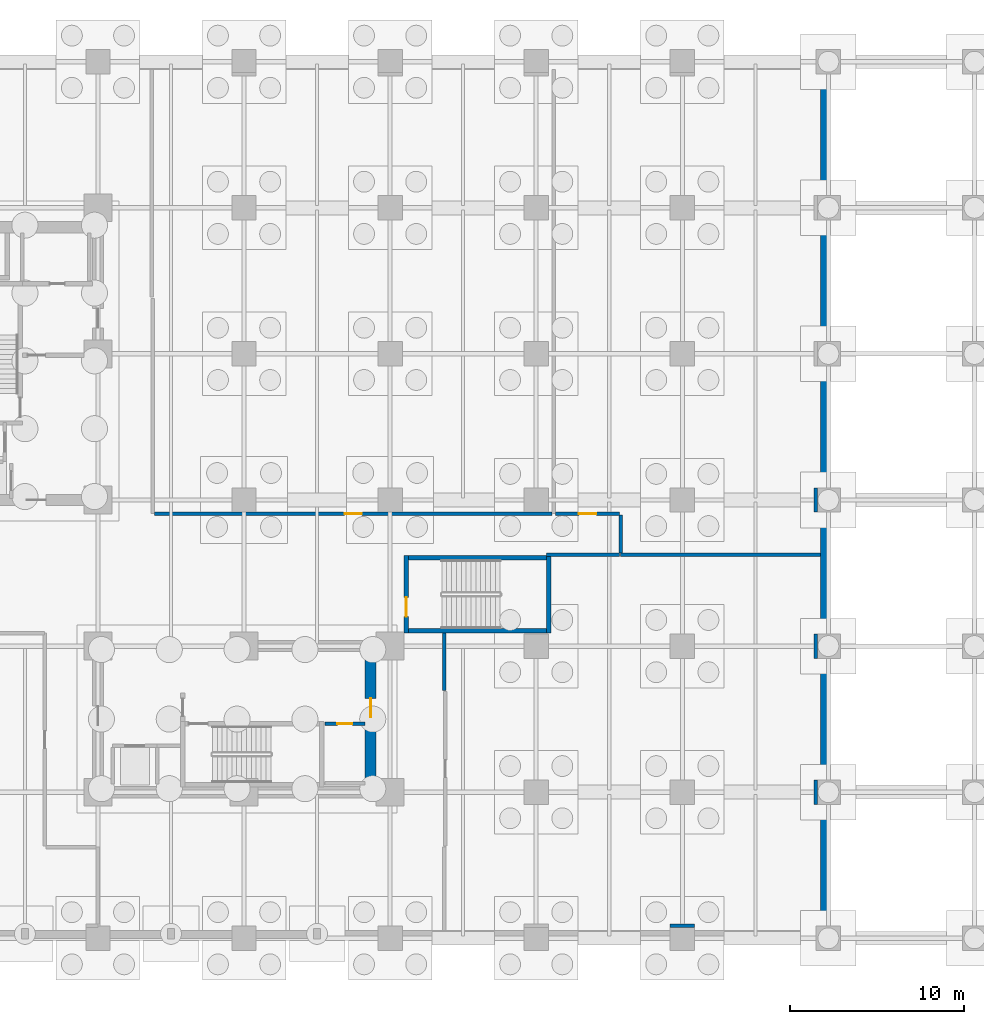
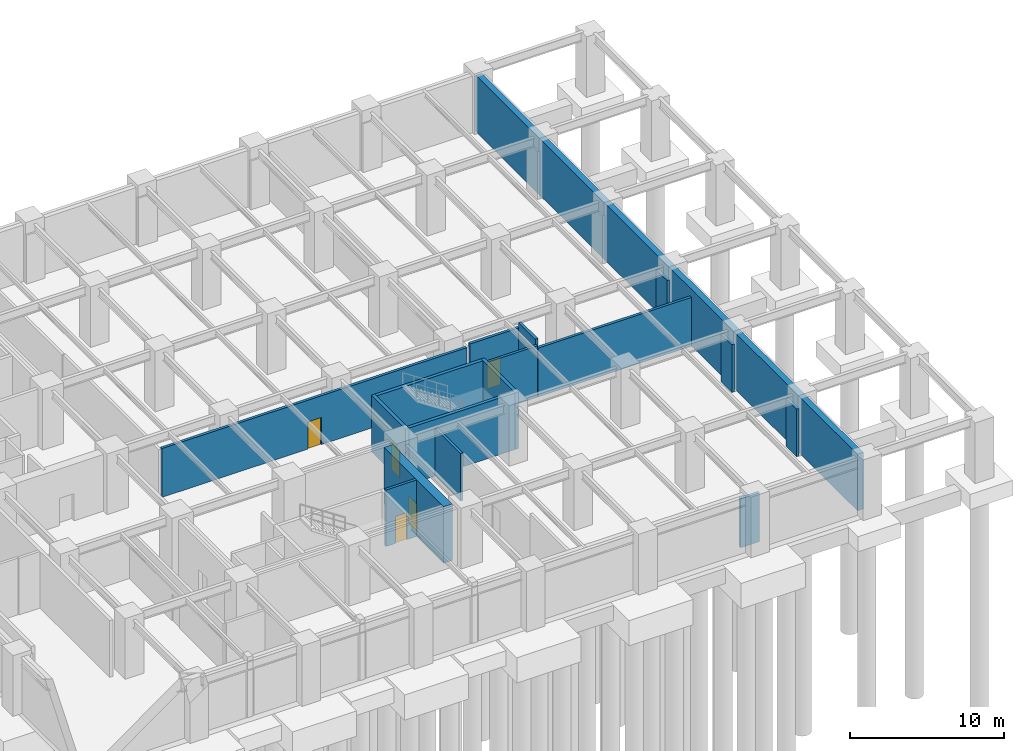
# One storey, part 6 of 9: 17 walls, 5 doors, 5 openings.
"""IFC4 building model written with IfcOpenShell, lengths in metres."""

import ifcopenshell
import ifcopenshell.guid

model = None  # the IFC model being written
_history = None  # IfcOwnerHistory: only IFC2X3 demands one
_inside = {}  # id of a spatial element -> (the spatial element, [elements in it])
_under = {}  # id of a project, library or spatial element -> (it, [spatial elements below it])
_declared = {}  # id of a project -> (the project, [libraries it declares])
_typed = {}  # id of a type object -> (the type object, [elements of that type])
_made_of = {}  # id of a material, layer set ... -> (it, [elements and type objects made of it])


def new_model(schema):
    """Start an empty IFC model of exactly this schema.

    Asked for "IFC4X3", IfcOpenShell would pick the latest addendum, in which some entities
    have other attributes; the version numbers below select the first issue.
    IFC2X3 requires an IfcOwnerHistory on every rooted entity: one is made here for all.
    """
    global model, _history
    if schema == "IFC4X3":
        model = ifcopenshell.file(schema_version=(4, 3, 0, 0))
    else:
        model = ifcopenshell.file(schema=schema)
    _inside.clear()
    _under.clear()
    _declared.clear()
    _typed.clear()
    _made_of.clear()
    _history = None
    if model.schema == "IFC2X3":
        org = make("IfcOrganization", Name="unknown")
        user = make(
            "IfcPersonAndOrganization",
            ThePerson=make("IfcPerson", FamilyName="unknown"),
            TheOrganization=org,
        )
        app = make(
            "IfcApplication",
            ApplicationDeveloper=org,
            Version="unknown",
            ApplicationFullName="unknown",
            ApplicationIdentifier="unknown",
        )
        _history = make(
            "IfcOwnerHistory",
            OwningUser=user,
            OwningApplication=app,
            ChangeAction="ADDED",
            CreationDate=0,
        )
    return model


def make(cls, **values):
    """One entity of the class cls with the attributes given. An attribute that is None is left unset."""
    return model.create_entity(
        cls, **{name: value for name, value in values.items() if value is not None}
    )


def rooted(cls, **values):
    """An entity with a GlobalId (a new one), such as an element, a storey or a relation."""
    return make(cls, GlobalId=ifcopenshell.guid.new(), OwnerHistory=_history, **values)


def si_unit(unit_type, name, prefix=None):
    """IfcSIUnit, for example si_unit("LENGTHUNIT", "METRE", prefix="MILLI")."""
    return make("IfcSIUnit", UnitType=unit_type, Prefix=prefix, Name=name)


def assignment(units):
    """IfcUnitAssignment: the units of a project."""
    return None if units is None else make("IfcUnitAssignment", Units=units)


def point(xyz):
    """IfcCartesianPoint."""
    return None if xyz is None else make("IfcCartesianPoint", Coordinates=xyz)


def direction(xyz):
    """IfcDirection."""
    return None if xyz is None else make("IfcDirection", DirectionRatios=xyz)


def frame(location, z_axis=None, x_axis=None):
    """IfcAxis2Placement3D, a coordinate frame: its origin and axes. An axis left out is left unset."""
    return make(
        "IfcAxis2Placement3D",
        Location=point(location),
        Axis=direction(z_axis),
        RefDirection=direction(x_axis),
    )


def frame_2d(location, x_axis=None):
    """IfcAxis2Placement2D, a coordinate frame in the plane: its origin and x axis."""
    return make(
        "IfcAxis2Placement2D", Location=point(location), RefDirection=direction(x_axis)
    )


def origin():
    """The frame at (0, 0, 0) with its axes left unset."""
    return frame((0.0, 0.0, 0.0))


def place(relative_to, where):
    """IfcLocalPlacement: puts the frame where relative to a parent placement (None: the world)."""
    return make(
        "IfcLocalPlacement", PlacementRelTo=relative_to, RelativePlacement=where
    )


def context(
    kind, dimensions, precision=None, world=None, true_north=None, identifier=None
):
    """IfcGeometricRepresentationContext, for example the 3D "Model" context."""
    return make(
        "IfcGeometricRepresentationContext",
        ContextIdentifier=identifier,
        ContextType=kind,
        CoordinateSpaceDimension=dimensions,
        Precision=precision,
        WorldCoordinateSystem=world,
        TrueNorth=true_north,
    )


def subcontext(parent, identifier, kind, view, scale=None):
    """IfcGeometricRepresentationSubContext, for example "Body" below "Model"."""
    return make(
        "IfcGeometricRepresentationSubContext",
        ContextIdentifier=identifier,
        ContextType=kind,
        ParentContext=parent,
        TargetScale=scale,
        TargetView=view,
    )


def project(units=None, contexts=None):
    """IfcProject with its units and contexts."""
    return rooted(
        "IfcProject",
        Name="project",
        RepresentationContexts=contexts,
        UnitsInContext=assignment(units),
    )


def spatial(cls, under=None, at=None, **own):
    """A site, building, storey or space (cls), placed at a placement, below another one or the project."""
    s = rooted(cls, ObjectPlacement=at, **own)
    if under is not None:
        _under.setdefault(under.id(), (under, []))[1].append(s)
    return s


def profile(cls, at=None, kind="AREA", **sizes):
    """A parametric profile (cls). Its sizes go by their IFC names, for example OverallWidth=200.0."""
    return make(cls, ProfileType=kind, Position=at, **sizes)


def rectangle(**sizes):
    """IfcRectangleProfileDef."""
    return profile("IfcRectangleProfileDef", **sizes)


def extrude(swept, where, along, depth):
    """IfcExtrudedAreaSolid: the profile swept, set in the frame where, extruded along a direction by depth."""
    return make(
        "IfcExtrudedAreaSolid",
        SweptArea=swept,
        Position=where,
        ExtrudedDirection=direction(along),
        Depth=depth,
    )


def shape(context_of_items, identifier, shape_type, items):
    """IfcShapeRepresentation: the items that make up one representation, for example the "Body"."""
    return make(
        "IfcShapeRepresentation",
        ContextOfItems=context_of_items,
        RepresentationIdentifier=identifier,
        RepresentationType=shape_type,
        Items=items,
    )


def material(Name=None, Category=None):
    """IfcMaterial."""
    return make("IfcMaterial", Name=Name, Category=Category)


def layer(
    of_material, thickness, ventilated=None, Name=None, Category=None, Priority=None
):
    """IfcMaterialLayer: one layer of a wall or slab, of a material (None: an air gap)."""
    return make(
        "IfcMaterialLayer",
        Material=of_material,
        LayerThickness=thickness,
        IsVentilated=ventilated,
        Name=Name,
        Category=Category,
        Priority=Priority,
    )


def layer_set(layers, Name=None):
    """IfcMaterialLayerSet."""
    return make("IfcMaterialLayerSet", MaterialLayers=layers, LayerSetName=Name)


def made_of(thing, what):
    """Note that an element or type object is made of a material, layer set ...; save() writes the relation."""
    if what is not None:
        _made_of.setdefault(what.id(), (what, []))[1].append(thing)
    return thing


def type_object(cls, material=None, **own):
    """A type object (cls), such as IfcWallType, which elements share."""
    return made_of(rooted(cls, **own), material)


def element(
    cls,
    number,
    at=None,
    inside=None,
    cuts=None,
    type_object=None,
    material=None,
    context=None,
    identifier="Body",
    shape_type=None,
    held_by="IfcProductDefinitionShape",
    body=None,
    shapes=None,
    **own,
):
    """One element of the class cls, such as IfcWall. Its Tag is "e" and its number.

    at: its placement. inside: the storey or other place that contains it. cuts: it is an
    opening in that element (IfcRelVoidsElement). A single representation is given by context,
    identifier, shape_type and body (its items); several are given by shapes. held_by: the class
    of the entity that holds the representations. save() writes the other relations.
    """
    e = rooted(cls, Tag="e%d" % number, ObjectPlacement=at, **own)
    if body is not None:
        shapes = [shape(context, identifier, shape_type, body)]
    if shapes is not None:
        e.Representation = make(held_by, Representations=shapes)
    if inside is not None:
        _inside.setdefault(inside.id(), (inside, []))[1].append(e)
    if cuts is not None:
        rooted(
            "IfcRelVoidsElement", RelatingBuildingElement=cuts, RelatedOpeningElement=e
        )
    if type_object is not None:
        _typed.setdefault(type_object.id(), (type_object, []))[1].append(e)
    return made_of(e, material)


def fill(opening, filler):
    """IfcRelFillsElement: the door or window that sits in an opening."""
    return rooted(
        "IfcRelFillsElement",
        RelatingOpeningElement=opening,
        RelatedBuildingElement=filler,
    )


def aggregate(whole, parts):
    """IfcRelAggregates: a whole, such as a stair, and the parts it consists of."""
    return rooted("IfcRelAggregates", RelatingObject=whole, RelatedObjects=parts)


def save(model, path):
    """Write the relations noted so far, then the file.

    IfcRelAggregates (storeys below a building ...), IfcRelContainedInSpatialStructure (elements
    in a storey), IfcRelDefinesByType, IfcRelAssociatesMaterial and IfcRelDeclares: one each for
    every whole, place, type object, material and project.
    """
    for whole, parts in _under.values():
        aggregate(whole, parts)
    for where, things in _inside.values():
        rooted(
            "IfcRelContainedInSpatialStructure",
            RelatedElements=things,
            RelatingStructure=where,
        )
    for kind, things in _typed.values():
        rooted("IfcRelDefinesByType", RelatedObjects=things, RelatingType=kind)
    for what, things in _made_of.values():
        rooted("IfcRelAssociatesMaterial", RelatedObjects=things, RelatingMaterial=what)
    for by, libraries in _declared.values():
        rooted("IfcRelDeclares", RelatingContext=by, RelatedDefinitions=libraries)
    model.write(path)


model = new_model("IFC4")

# Units and contexts
model_context = context("Model", 3, precision=1e-05, world=origin(), true_north=direction((0.0, 1.0)))
body_context = subcontext(model_context, "Body", "Model", "MODEL_VIEW")
ifc_project = project(units=[si_unit("LENGTHUNIT", "METRE"), si_unit("AREAUNIT", "SQUARE_METRE"), si_unit("VOLUMEUNIT", "CUBIC_METRE"), si_unit("PLANEANGLEUNIT", "RADIAN"), si_unit("MASSUNIT", "GRAM", prefix="KILO")], contexts=[model_context])

# Site, building, storey
site_placement = place(None, origin())
site = spatial("IfcSite", under=ifc_project, at=site_placement, CompositionType="ELEMENT")
building_placement = place(site_placement, origin())
building = spatial("IfcBuilding", under=site, at=building_placement, Name="Nerrivon Quay Data Exchange", CompositionType="ELEMENT")
storey_placement = place(building_placement, frame((0.0, 0.0, -9.60009765625)))
storey = spatial("IfcBuildingStorey", under=building, at=storey_placement, Name="B02", CompositionType="ELEMENT", Elevation=-9.60009765625)

# Wall, opening, door
ifc_material_1 = material(Name="Concrete N80 (80 MPa)", Category="concrete")
ifc_layer_1 = layer(ifc_material_1, 0.64990234375)
ifc_layer_set_1 = layer_set([ifc_layer_1], Name="Concrete N80 (80 MPa)")
wall_type_1 = type_object("IfcWallType", Name="WALL-CW-850", PredefinedType="SHEAR", material=ifc_layer_set_1)
wall_1_placement = place(storey_placement, frame((32.47509765625, 8.72509765625, 0.0), z_axis=(0.0, 0.0, 1.0), x_axis=(0.0, 1.0, 0.0)))
wall_1 = element("IfcWall", 1, at=wall_1_placement, inside=storey, type_object=wall_type_1, Name="B02 East Split-Core Shear Wall ECW-E1", PredefinedType="SHEAR", context=body_context, shape_type="SweptSolid", body=[
    extrude(rectangle(XDim=7.75, YDim=0.64990234375, at=frame_2d((3.875, 0.0))), origin(), (0.0, 0.0, 1.0), 4.47998046875),
])
opening_1_placement = place(wall_1_placement, frame((3.97509765625, 0.0, 0.0)))
opening_1 = element("IfcOpeningElement", 2, at=opening_1_placement, cuts=wall_1, Name="Opening FD-120", PredefinedType="OPENING", context=body_context, shape_type="SweptSolid", body=[
    extrude(rectangle(XDim=1.10009765625, YDim=2.14990234375, at=frame_2d((0.550048828125, 1.074951171875))), frame((0.0, 0.3349609375, 0.0), z_axis=(0.0, -1.0, 0.0), x_axis=(1.0, 0.0, 0.0)), (0.0, 0.0, 1.0), 0.669921875),
])
ifc_material_2 = material(Name="Powder-coated galvanized steel sheet", Category="steel")
door_type_1 = type_object("IfcDoorType", Name="DR-FD120-1100", OperationType="NOTDEFINED", PredefinedType="DOOR", material=ifc_material_2)
door_1_placement = place(opening_1_placement, origin())
door_1 = element("IfcDoor", 3, at=door_1_placement, inside=storey, type_object=door_type_1, Name="B02 East Core Lobby Fire Door", OperationType="SINGLE_SWING_LEFT", OverallHeight=2.14990234375, OverallWidth=1.10009765625, PredefinedType="DOOR", context=body_context, shape_type="SweptSolid", body=[
    extrude(rectangle(XDim=1.10009765625, YDim=2.14990234375, at=frame_2d((0.550048828125, 1.074951171875))), frame((0.0, 0.02490234375, 0.0), z_axis=(0.0, -1.0, 0.0), x_axis=(1.0, 0.0, 0.0)), (0.0, 0.0, 1.0), 0.050048828125),
])
fill(opening_1, door_1)

ifc_material_3 = material(Name="Gypsum plasterboard on cold-formed framing", Category="gypsum")
ifc_layer_2 = layer(ifc_material_3, 0.199951171875)
ifc_layer_set_2 = layer_set([ifc_layer_2], Name="Gypsum plasterboard on cold-formed framing")
wall_type_2 = type_object("IfcWallType", Name="WALL-FW-200", PredefinedType="PARTITIONING", material=ifc_layer_set_2)
wall_2_placement = place(storey_placement, frame((32.14599609375, 12.330078125, 0.0), z_axis=(0.0, 0.0, 1.0), x_axis=(-1.0, 0.0, 0.0)))
wall_2 = element("IfcWall", 4, at=wall_2_placement, inside=storey, type_object=wall_type_2, Name="B02 Partition East Telecom Closet", PredefinedType="PARTITIONING", context=body_context, shape_type="SweptSolid", body=[
    extrude(rectangle(XDim=2.2958984375, YDim=0.199951171875, at=frame_2d((1.14794921875, 0.0))), origin(), (0.0, 0.0, 1.0), 4.47998046875),
])
opening_2_placement = place(wall_2_placement, frame((0.722900390625, 0.0, 0.0)))
opening_2 = element("IfcOpeningElement", 5, at=opening_2_placement, cuts=wall_2, Name="Opening FD-60S", PredefinedType="OPENING", context=body_context, shape_type="SweptSolid", body=[
    extrude(rectangle(XDim=0.85009765625, YDim=2.14990234375, at=frame_2d((0.425048828125, 1.074951171875))), frame((0.0, 0.10986328125, 0.0), z_axis=(0.0, -1.0, 0.0), x_axis=(1.0, 0.0, 0.0)), (0.0, 0.0, 1.0), 0.219970703125),
])
ifc_material_4 = material(Name="Engineered hardwood timber", Category="wood")
door_type_2 = type_object("IfcDoorType", Name="DR-FD60-850", OperationType="NOTDEFINED", PredefinedType="DOOR", material=ifc_material_4)
door_2_placement = place(opening_2_placement, origin())
door_2 = element("IfcDoor", 6, at=door_2_placement, inside=storey, type_object=door_type_2, Name="B02 Door East Telecom Closet", OperationType="SINGLE_SWING_LEFT", OverallHeight=2.14990234375, OverallWidth=0.85009765625, PredefinedType="DOOR", context=body_context, shape_type="SweptSolid", body=[
    extrude(rectangle(XDim=0.85009765625, YDim=2.14990234375, at=frame_2d((0.425048828125, 1.074951171875))), frame((0.0, 0.02490234375, 0.0), z_axis=(0.0, -1.0, 0.0), x_axis=(1.0, 0.0, 0.0)), (0.0, 0.0, 1.0), 0.050048828125),
])
fill(opening_2, door_2)

wall_3_placement = place(storey_placement, frame((20.06396484375, 24.409912109375, 0.0), z_axis=(0.0, 0.0, 1.0), x_axis=(1.0, 0.0, 0.0)))
wall_3 = element("IfcWall", 7, at=wall_3_placement, inside=storey, type_object=wall_type_2, Name="B02 Partition Chiller Plant Room", PredefinedType="PARTITIONING", context=body_context, shape_type="SweptSolid", body=[
    extrude(rectangle(XDim=22.83203125, YDim=0.199951171875, at=frame_2d((11.416015625, 0.0))), origin(), (0.0, 0.0, 1.0), 3.8681640625),
])
opening_3_placement = place(wall_3_placement, frame((10.916015625, 0.0, 0.0)))
opening_3 = element("IfcOpeningElement", 8, at=opening_3_placement, cuts=wall_3, Name="Opening FD-60", PredefinedType="OPENING", context=body_context, shape_type="SweptSolid", body=[
    extrude(rectangle(XDim=1.0, YDim=2.14990234375, at=frame_2d((0.5, 1.074951171875))), frame((0.0, 0.10986328125, 0.0), z_axis=(0.0, -1.0, 0.0), x_axis=(1.0, 0.0, 0.0)), (0.0, 0.0, 1.0), 0.219970703125),
])
door_type_3 = type_object("IfcDoorType", Name="DR-FD60-1000", OperationType="NOTDEFINED", PredefinedType="DOOR", material=ifc_material_4)
door_3_placement = place(opening_3_placement, origin())
door_3 = element("IfcDoor", 9, at=door_3_placement, inside=storey, type_object=door_type_3, Name="B02 Door Chiller Plant Room", OperationType="SINGLE_SWING_RIGHT", OverallHeight=2.14990234375, OverallWidth=1.0, PredefinedType="DOOR", context=body_context, shape_type="SweptSolid", body=[
    extrude(rectangle(XDim=1.0, YDim=2.14990234375, at=frame_2d((0.5, 1.074951171875))), frame((0.0, 0.02490234375, 0.0), z_axis=(0.0, -1.0, 0.0), x_axis=(1.0, 0.0, 0.0)), (0.0, 0.0, 1.0), 0.050048828125),
])
fill(opening_3, door_3)

# Walls
wall_4_placement = place(storey_placement, frame((49.699951171875, 0.719970703125, 0.0), z_axis=(0.0, 0.0, 1.0), x_axis=(1.0, 0.0, 0.0)))
element("IfcWall", 10, at=wall_4_placement, inside=storey, type_object=wall_type_2, Name="B02 Partition HV Switchroom", PredefinedType="PARTITIONING", context=body_context, shape_type="SweptSolid", body=[
    extrude(rectangle(XDim=1.400146484375, YDim=0.199951171875, at=frame_2d((0.7001953125, 0.0))), origin(), (0.0, 0.0, 1.0), 3.8681640625),
])
wall_5_placement = place(storey_placement, frame((58.080078125, 7.699951171875, 0.0), z_axis=(0.0, 0.0, 1.0), x_axis=(0.0, 1.0, 0.0)))
element("IfcWall", 11, at=wall_5_placement, inside=storey, type_object=wall_type_2, Name="B02 Partition HV Switchroom", PredefinedType="PARTITIONING", context=body_context, shape_type="SweptSolid", body=[
    extrude(rectangle(XDim=1.400146484375, YDim=0.199951171875, at=frame_2d((0.7001953125, 0.0))), origin(), (0.0, 0.0, 1.0), 3.780029296875),
])
wall_6_placement = place(storey_placement, frame((58.080078125, 16.10009765625, 0.0), z_axis=(0.0, 0.0, 1.0), x_axis=(0.0, 1.0, 0.0)))
element("IfcWall", 12, at=wall_6_placement, inside=storey, type_object=wall_type_2, Name="B02 Partition HV Switchroom", PredefinedType="PARTITIONING", context=body_context, shape_type="SweptSolid", body=[
    extrude(rectangle(XDim=1.39990234375, YDim=0.199951171875, at=frame_2d((0.699951171875, 0.0))), origin(), (0.0, 0.0, 1.0), 3.780029296875),
])
wall_7_placement = place(storey_placement, frame((58.345947265625, 22.050048828125, 0.0), z_axis=(0.0, 0.0, 1.0), x_axis=(-1.0, 0.0, 0.0)))
element("IfcWall", 13, at=wall_7_placement, inside=storey, type_object=wall_type_2, Name="B02 Partition HV Switchroom", PredefinedType="PARTITIONING", context=body_context, shape_type="SweptSolid", body=[
    extrude(rectangle(XDim=11.512939453125, YDim=0.199951171875, at=frame_2d((5.75634765625, 0.0))), origin(), (0.0, 0.0, 1.0), 3.8681640625),
])
wall_8_placement = place(storey_placement, frame((46.800048828125, 22.0400390625, 0.0), z_axis=(0.0, 0.0, 1.0), x_axis=(-1.0, 0.0, 0.0)))
element("IfcWall", 14, at=wall_8_placement, inside=storey, type_object=wall_type_2, Name="B02 Partition HV Switchroom", PredefinedType="PARTITIONING", context=body_context, shape_type="SweptSolid", body=[
    extrude(rectangle(XDim=4.199951171875, YDim=0.199951171875, at=frame_2d((2.10009765625, 0.0))), origin(), (0.0, 0.0, 1.0), 4.07421875),
])
wall_9_placement = place(storey_placement, frame((36.699951171875, 17.5458984375, 0.0), z_axis=(0.0, 0.0, 1.0), x_axis=(0.0, -1.0, 0.0)))
element("IfcWall", 15, at=wall_9_placement, inside=storey, type_object=wall_type_2, Name="B02 Partition HV Switchroom", PredefinedType="PARTITIONING", context=body_context, shape_type="SweptSolid", body=[
    extrude(rectangle(XDim=3.285888671875, YDim=0.199951171875, at=frame_2d((1.64306640625, 0.0))), origin(), (0.0, 0.0, 1.0), 3.780029296875),
])
wall_10_placement = place(storey_placement, frame((58.080078125, 24.5, 0.0), z_axis=(0.0, 0.0, 1.0), x_axis=(0.0, 1.0, 0.0)))
element("IfcWall", 16, at=wall_10_placement, inside=storey, type_object=wall_type_2, Name="B02 Partition Fire & Cooling Water Storage Tank Room", PredefinedType="PARTITIONING", context=body_context, shape_type="SweptSolid", body=[
    extrude(rectangle(XDim=1.39990234375, YDim=0.199951171875, at=frame_2d((0.699951171875, 0.0))), origin(), (0.0, 0.0, 1.0), 3.780029296875),
])

# Wall, opening, door
wall_11_placement = place(storey_placement, frame((43.10400390625, 24.409912109375, 0.0), z_axis=(0.0, 0.0, 1.0), x_axis=(1.0, 0.0, 0.0)))
wall_11 = element("IfcWall", 17, at=wall_11_placement, inside=storey, type_object=wall_type_2, Name="B02 Partition Fire & Cooling Water Storage Tank Room", PredefinedType="PARTITIONING", context=body_context, shape_type="SweptSolid", body=[
    extrude(rectangle(XDim=3.696044921875, YDim=0.199951171875, at=frame_2d((1.84814453125, 0.0))), origin(), (0.0, 0.0, 1.0), 4.07421875),
])
opening_4_placement = place(wall_11_placement, frame((1.347900390625, 0.0, 0.0)))
opening_4 = element("IfcOpeningElement", 18, at=opening_4_placement, cuts=wall_11, Name="Opening FD-60", PredefinedType="OPENING", context=body_context, shape_type="SweptSolid", body=[
    extrude(rectangle(XDim=1.0, YDim=2.14990234375, at=frame_2d((0.5, 1.074951171875))), frame((0.0, 0.10986328125, 0.0), z_axis=(0.0, -1.0, 0.0), x_axis=(1.0, 0.0, 0.0)), (0.0, 0.0, 1.0), 0.219970703125),
])
door_4_placement = place(opening_4_placement, origin())
door_4 = element("IfcDoor", 19, at=door_4_placement, inside=storey, type_object=door_type_3, Name="B02 Door Fire & Cooling Water Storage Tank Room", OperationType="SINGLE_SWING_RIGHT", OverallHeight=2.14990234375, OverallWidth=1.0, PredefinedType="DOOR", context=body_context, shape_type="SweptSolid", body=[
    extrude(rectangle(XDim=1.0, YDim=2.14990234375, at=frame_2d((0.5, 1.074951171875))), frame((0.0, 0.02490234375, 0.0), z_axis=(0.0, -1.0, 0.0), x_axis=(1.0, 0.0, 0.0)), (0.0, 0.0, 1.0), 0.050048828125),
])
fill(opening_4, door_4)

# Walls
wall_12_placement = place(storey_placement, frame((46.860107421875, 24.35009765625, 0.0), z_axis=(0.0, 0.0, 1.0), x_axis=(0.0, -1.0, 0.0)))
element("IfcWall", 20, at=wall_12_placement, inside=storey, type_object=wall_type_2, Name="B02 Partition Fire & Cooling Water Storage Tank Room", PredefinedType="PARTITIONING", context=body_context, shape_type="SweptSolid", body=[
    extrude(rectangle(XDim=2.196044921875, YDim=0.199951171875, at=frame_2d((1.09814453125, 0.0))), origin(), (0.0, 0.0, 1.0), 4.47998046875),
])
ifc_material_5 = material(Name="Concrete N50 (50 MPa)", Category="concrete")
ifc_layer_3 = layer(ifc_material_5, 0.449951171875)
ifc_layer_set_3 = layer_set([ifc_layer_3], Name="Concrete N50 (50 MPa)")
wall_type_3 = type_object("IfcWallType", Name="WALL-RET-450", PredefinedType="SOLIDWALL", material=ifc_layer_set_3)
wall_13_placement = place(storey_placement, frame((58.574951171875, 0.449951171875, 0.0), z_axis=(0.0, 0.0, 1.0), x_axis=(0.0, 1.0, 0.0)))
element("IfcWall", 21, at=wall_13_placement, inside=storey, type_object=wall_type_3, Name="B02 Perimeter Retaining Wall E", PredefinedType="SOLIDWALL", context=body_context, shape_type="SweptSolid", body=[
    extrude(rectangle(XDim=49.5, YDim=0.449951171875, at=frame_2d((24.75, 0.0))), origin(), (0.0, 0.0, 1.0), 4.47998046875),
])

# Wall, opening, door
ifc_layer_4 = layer(ifc_material_5, 0.25)
ifc_layer_set_4 = layer_set([ifc_layer_4], Name="Concrete N50 (50 MPa)")
wall_type_4 = type_object("IfcWallType", Name="WALL-SW-250", PredefinedType="SHEAR", material=ifc_layer_set_4)
wall_14_placement = place(storey_placement, frame((34.52490234375, 17.550048828125, 0.0), z_axis=(0.0, 0.0, 1.0), x_axis=(0.0, 1.0, 0.0)))
wall_14 = element("IfcWall", 22, at=wall_14_placement, inside=storey, type_object=wall_type_4, Name="B02 ST03 Structural Stair Core Wall NEAR", PredefinedType="SHEAR", context=body_context, shape_type="SweptSolid", body=[
    extrude(rectangle(XDim=4.449951171875, YDim=0.25, at=frame_2d((2.22509765625, 0.0))), origin(), (0.0, 0.0, 1.0), 4.47998046875),
])
opening_5_placement = place(wall_14_placement, frame((0.949951171875, 0.0, 0.0)))
opening_5 = element("IfcOpeningElement", 23, at=opening_5_placement, cuts=wall_14, Name="Opening FD-120", PredefinedType="OPENING", context=body_context, shape_type="SweptSolid", body=[
    extrude(rectangle(XDim=1.10009765625, YDim=2.14990234375, at=frame_2d((0.550048828125, 1.074951171875))), frame((0.0, 0.135009765625, 0.0), z_axis=(0.0, -1.0, 0.0), x_axis=(1.0, 0.0, 0.0)), (0.0, 0.0, 1.0), 0.27001953125),
])
door_5_placement = place(opening_5_placement, origin())
door_5 = element("IfcDoor", 24, at=door_5_placement, inside=storey, type_object=door_type_1, Name="B02 Protected Stair Door ST03", OperationType="SINGLE_SWING_LEFT", OverallHeight=2.14990234375, OverallWidth=1.10009765625, PredefinedType="DOOR", context=body_context, shape_type="SweptSolid", body=[
    extrude(rectangle(XDim=1.10009765625, YDim=2.14990234375, at=frame_2d((0.550048828125, 1.074951171875))), frame((0.0, 0.02490234375, 0.0), z_axis=(0.0, -1.0, 0.0), x_axis=(1.0, 0.0, 0.0)), (0.0, 0.0, 1.0), 0.050048828125),
])
fill(opening_5, door_5)

# Walls
wall_15_placement = place(storey_placement, frame((42.72509765625, 17.550048828125, 0.0), z_axis=(0.0, 0.0, 1.0), x_axis=(0.0, 1.0, 0.0)))
element("IfcWall", 25, at=wall_15_placement, inside=storey, type_object=wall_type_4, Name="B02 ST03 Structural Stair Core Wall FAR", PredefinedType="SHEAR", context=body_context, shape_type="SweptSolid", body=[
    extrude(rectangle(XDim=4.449951171875, YDim=0.25, at=frame_2d((2.22509765625, 0.0))), origin(), (0.0, 0.0, 1.0), 4.47998046875),
])
for number, where, z_axis, x_axis, name in (
    (26, (34.64990234375, 17.675048828125, 0.0), (0.0, 0.0, 1.0), (1.0, 0.0, 0.0), "B02 ST03 Structural Stair Core Wall LEFT"),
    (27, (34.64990234375, 21.875, 0.0), (0.0, 0.0, 1.0), (1.0, 0.0, 0.0), "B02 ST03 Structural Stair Core Wall RIGHT"),
):
    element("IfcWall", number, at=place(storey_placement, frame(where, z_axis=z_axis, x_axis=x_axis)), inside=storey, type_object=wall_type_4, Name=name, PredefinedType="SHEAR", context=body_context, shape_type="SweptSolid", body=[
        extrude(rectangle(XDim=7.9501953125, YDim=0.25, at=frame_2d((3.97509765625, 0.0))), origin(), (0.0, 0.0, 1.0), 4.47998046875),
    ])

save(model, "model.ifc")
